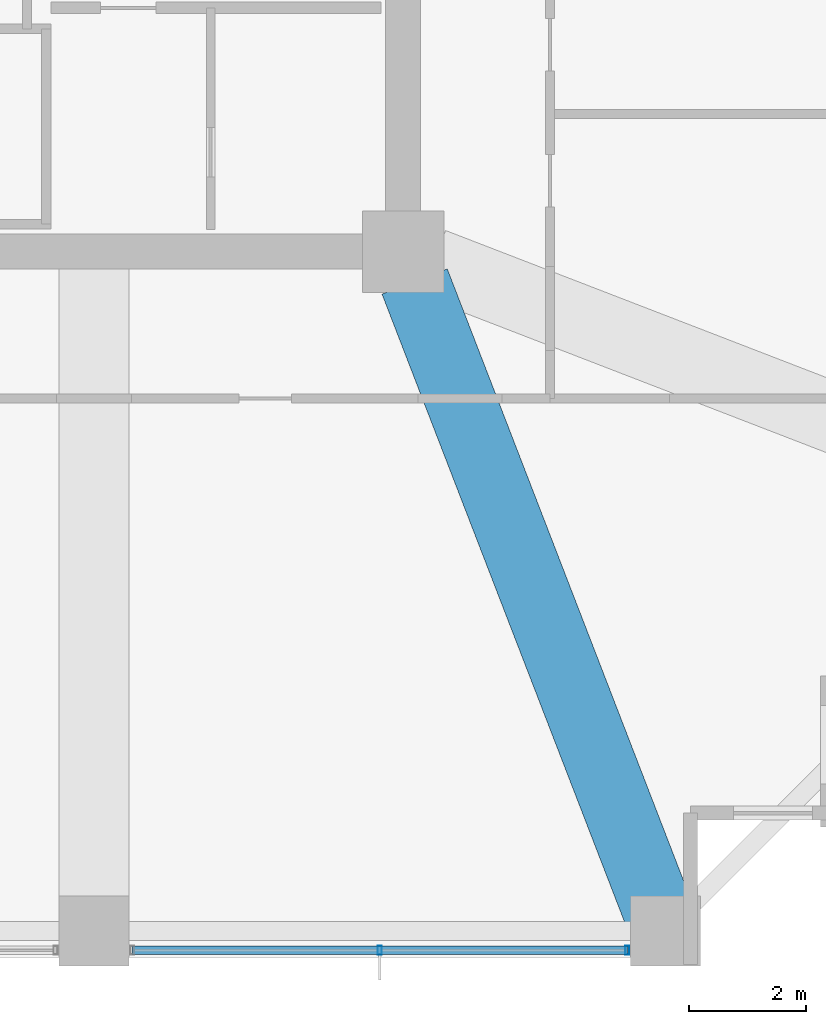
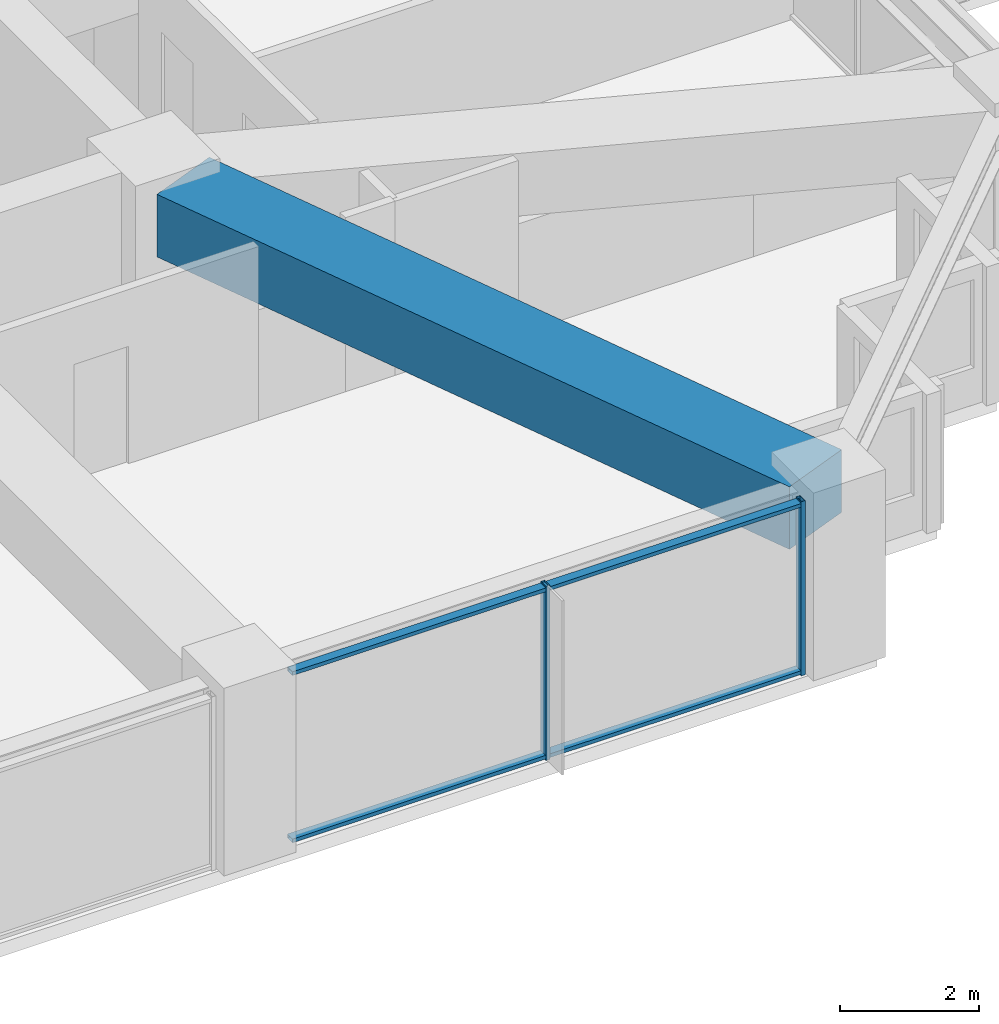
# One storey, part 11 of 39: 4 members, 1 beam, 1 element without a shape of its own.
"""IFC4 building model written with IfcOpenShell, lengths in metres."""

from ifc_helpers import new_model, si_unit, direction, frame, origin, origin_2d, place, context, subcontext, project, spatial, rectangle, hollow_rectangle, extrude, material, material_profile, profile_set, type_object, element, aggregate, save


model = new_model("IFC4")

# Units and contexts
model_context = context("Model", 3, precision=1e-05, world=origin(), true_north=direction((0.0, 1.0)))
body_context = subcontext(model_context, "Body", "Model", "MODEL_VIEW")
ifc_project = project(units=[si_unit("LENGTHUNIT", "METRE"), si_unit("AREAUNIT", "SQUARE_METRE"), si_unit("VOLUMEUNIT", "CUBIC_METRE"), si_unit("PLANEANGLEUNIT", "RADIAN"), si_unit("MASSUNIT", "GRAM", prefix="KILO")], contexts=[model_context])

# Site, building, storey
site_placement = place(None, origin())
site = spatial("IfcSite", under=ifc_project, at=site_placement, CompositionType="ELEMENT")
building_placement = place(site_placement, origin())
building = spatial("IfcBuilding", under=site, at=building_placement, Name="Kolvaren Belvedere", CompositionType="ELEMENT")
storey_placement = place(building_placement, frame((0.0, 0.0, 33.699951171875)))
storey = spatial("IfcBuildingStorey", under=building, at=storey_placement, Name="L09", CompositionType="ELEMENT", Elevation=33.699951171875)

# Beam
ifc_material_1 = material(Name="Concrete C50/60", Category="concrete")
ifc_material_profile_1 = material_profile(ifc_material_1, rectangle(XDim=1.199951171875, YDim=1.10009765625, at=origin_2d()), Name="RC 1200X1100")
ifc_profile_set_1 = profile_set([ifc_material_profile_1], Name="Concrete C50/60")
beam_type = type_object("IfcBeamType", Name="BM-TG-1100", PredefinedType="BEAM", material=ifc_profile_set_1)
beam_placement = place(storey_placement, frame((10.09814453125, -10.4130859375, 2.510009765625), z_axis=(0.360318391835, -0.932829382313, 0.0), x_axis=(0.932829382313, 0.360318391835, 0.0)))
element("IfcBeam", 1, at=beam_placement, inside=storey, type_object=beam_type, Name="L09 Corner Core-to-Perimeter Girder CC2-S4", PredefinedType="BEAM", context=body_context, shape_type="SweptSolid", body=[
    extrude(rectangle(XDim=1.199951171875, YDim=1.10009765625, at=origin_2d()), origin(), (0.0, 0.0, 1.0), 11.698974609375),
])

# Curtain wall, members
ifc_material_2 = material(Name="Anodised pale-metal aluminium AA 6063-T6", Category="aluminium")
curtain_wall_type = type_object("IfcCurtainWallType", Name="CW-Z1-LOW", PredefinedType="NOTDEFINED", material=ifc_material_2)
curtain_wall_placement = place(storey_placement, origin())
curtain_wall = element("IfcCurtainWall", 2, at=curtain_wall_placement, inside=storey, type_object=curtain_wall_type, Name="L09 Unitised Curtain Wall FCW-L09-S-B1", PredefinedType="NOTDEFINED")
ifc_material_3 = material(Name="Anodised pale-metal aluminium AA 6063-T6", Category="aluminium")
ifc_material_profile_2 = material_profile(ifc_material_3, hollow_rectangle(XDim=0.070068359375, YDim=0.14990234375, WallThickness=0.004150390625, at=origin_2d()), Name="ALU-MUL-150X70")
ifc_profile_set_2 = profile_set([ifc_material_profile_2], Name="Anodised pale-metal aluminium AA 6063-T6")
member_type_1 = type_object("IfcMemberType", Name="CW-MUL-150", PredefinedType="MULLION", material=ifc_profile_set_2)
member_1_placement = place(storey_placement, frame((13.7451171875, -21.8798828125, 0.0), z_axis=(0.0, 0.0, 1.0), x_axis=(1.0, 0.0, 0.0)))
member_1 = element("IfcMember", 3, at=member_1_placement, type_object=member_type_1, Name="FCW-L09-S-B1 Unitised Mullion 1", PredefinedType="MULLION", context=body_context, shape_type="SweptSolid", body=[
    extrude(hollow_rectangle(XDim=0.070068359375, YDim=0.14990234375, WallThickness=0.004150390625, at=origin_2d()), origin(), (0.0, 0.0, 1.0), 3.06005859375),
])
member_2_placement = place(storey_placement, frame((9.5, -21.8798828125, 0.0), z_axis=(0.0, 0.0, 1.0), x_axis=(1.0, 0.0, 0.0)))
member_2 = element("IfcMember", 4, at=member_2_placement, type_object=member_type_1, Name="FCW-L09-S-B1 Unitised Mullion 2", PredefinedType="MULLION", context=body_context, shape_type="SweptSolid", body=[
    extrude(hollow_rectangle(XDim=0.070068359375, YDim=0.14990234375, WallThickness=0.004150390625, at=origin_2d()), origin(), (0.0, 0.0, 1.0), 3.06005859375),
])
ifc_material_4 = material(Name="Anodised pale-metal aluminium AA 6063-T6", Category="aluminium")
ifc_material_profile_3 = material_profile(ifc_material_4, hollow_rectangle(XDim=0.06494140625, YDim=0.14990234375, WallThickness=0.00390625, at=origin_2d()), Name="ALU-TRN-150X65")
ifc_profile_set_3 = profile_set([ifc_material_profile_3], Name="Anodised pale-metal aluminium AA 6063-T6")
member_type_2 = type_object("IfcMemberType", Name="CW-TRN-150", PredefinedType="USERDEFINED", material=ifc_profile_set_3)
member_3_placement = place(storey_placement, frame((13.7451171875, -21.8798828125, 0.06005859375), z_axis=(-1.0, 0.0, 0.0), x_axis=(0.0, 0.0, 1.0)))
member_3 = element("IfcMember", 5, at=member_3_placement, type_object=member_type_2, Name="FCW-L09-S-B1 Sill Transom", ObjectType="TRANSOM", PredefinedType="USERDEFINED", context=body_context, shape_type="SweptSolid", body=[
    extrude(hollow_rectangle(XDim=0.06494140625, YDim=0.14990234375, WallThickness=0.00390625, at=origin_2d()), origin(), (0.0, 0.0, 1.0), 8.490234375),
])
member_4_placement = place(storey_placement, frame((13.7451171875, -21.8798828125, 3.0), z_axis=(-1.0, 0.0, 0.0), x_axis=(0.0, 0.0, 1.0)))
member_4 = element("IfcMember", 6, at=member_4_placement, type_object=member_type_2, Name="FCW-L09-S-B1 Head Transom", ObjectType="TRANSOM", PredefinedType="USERDEFINED", context=body_context, shape_type="SweptSolid", body=[
    extrude(hollow_rectangle(XDim=0.06494140625, YDim=0.14990234375, WallThickness=0.00390625, at=origin_2d()), origin(), (0.0, 0.0, 1.0), 8.490234375),
])
aggregate(curtain_wall, [member_1, member_2, member_3, member_4])

save(model, "model.ifc")
